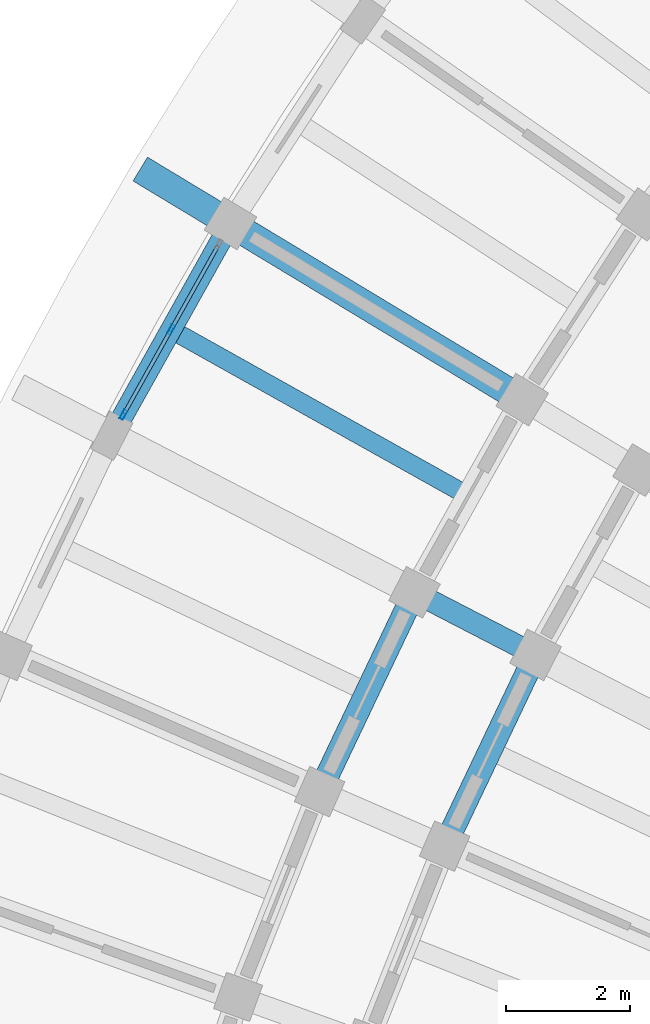
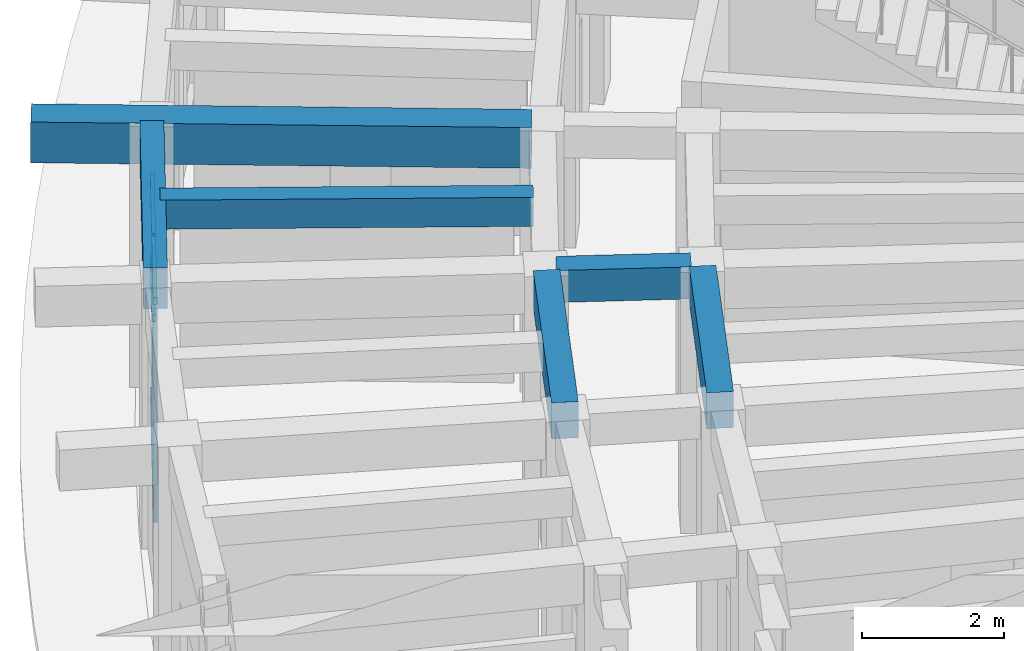
# One storey, part 35 of 132: 8 members, 6 beams, 1 element without a shape of its own.
"""IFC4 building model written with IfcOpenShell, lengths in metres."""

from ifc_helpers import new_model, si_unit, direction, frame, origin, origin_2d, place, context, subcontext, project, spatial, rectangle, hollow_rectangle, extrude, material, material_profile, profile_set, type_object, element, aggregate, save


model = new_model("IFC4")

# Units and contexts
model_context = context("Model", 3, precision=1e-05, world=origin(), true_north=direction((0.0, 1.0)))
body_context = subcontext(model_context, "Body", "Model", "MODEL_VIEW")
ifc_project = project(units=[si_unit("LENGTHUNIT", "METRE"), si_unit("AREAUNIT", "SQUARE_METRE"), si_unit("VOLUMEUNIT", "CUBIC_METRE"), si_unit("PLANEANGLEUNIT", "RADIAN"), si_unit("MASSUNIT", "GRAM", prefix="KILO")], contexts=[model_context])

# Site, building, storey
site_placement = place(None, origin())
site = spatial("IfcSite", under=ifc_project, at=site_placement, CompositionType="ELEMENT")
building_placement = place(site_placement, origin())
building = spatial("IfcBuilding", under=site, at=building_placement, Name="Tanwirah Colonnade Gardens", CompositionType="ELEMENT")
storey_placement = place(building_placement, origin())
storey = spatial("IfcBuildingStorey", under=building, at=storey_placement, Name="L00", CompositionType="ELEMENT", Elevation=0.0)

# Beams
ifc_material_1 = material(Name="Precast concrete C40/50", Category="concrete")
ifc_material_profile_1 = material_profile(ifc_material_1, rectangle(XDim=0.35009765625, YDim=0.550048828125, at=origin_2d()), Name="PC-BM 350x550")
ifc_profile_set_1 = profile_set([ifc_material_profile_1], Name="Precast concrete C40/50")
beam_type_1 = type_object("IfcBeamType", Name="BM-PC350A", PredefinedType="BEAM", material=ifc_profile_set_1)
beam_1_placement = place(storey_placement, frame((18.8056640625, 84.07666015625, 4.2099609375), z_axis=(-0.888358643941, 0.459150214784, 0.0), x_axis=(-0.459150214784, -0.888358643941, 0.0)))
element("IfcBeam", 1, at=beam_1_placement, inside=storey, type_object=beam_type_1, Name="Block A L00 Corridor Tie Beam 15", PredefinedType="BEAM", context=body_context, shape_type="SweptSolid", body=[
    extrude(rectangle(XDim=0.35009765625, YDim=0.550048828125, at=origin_2d()), origin(), (0.0, 0.0, 1.0), 1.89990234375),
])
ifc_material_profile_2 = material_profile(ifc_material_1, rectangle(XDim=0.3798828125, YDim=0.6201171875, at=origin_2d()), Name="PC-BM 380x620")
ifc_profile_set_2 = profile_set([ifc_material_profile_2], Name="Precast concrete C40/50")
beam_type_2 = type_object("IfcBeamType", Name="BM-PC380", PredefinedType="BEAM", material=ifc_profile_set_2)
beam_2_placement = place(storey_placement, frame((18.87451171875, 83.872314453125, 4.175048828125), z_axis=(-0.429620507728, -0.903009534468, 0.0), x_axis=(0.903009534468, -0.429620507728, 0.0)))
element("IfcBeam", 2, at=beam_2_placement, inside=storey, type_object=beam_type_2, Name="Block A L00 Circumferential Beam 15-R1", PredefinedType="BEAM", context=body_context, shape_type="SweptSolid", body=[
    extrude(rectangle(XDim=0.3798828125, YDim=0.6201171875, at=origin_2d()), origin(), (0.0, 0.0, 1.0), 3.1181640625),
])
beam_3_placement = place(storey_placement, frame((16.920166015625, 84.882568359375, 4.175048828125), z_axis=(-0.4295908638, -0.90302363742, 0.0), x_axis=(0.90302363742, -0.4295908638, 0.0)))
element("IfcBeam", 3, at=beam_3_placement, inside=storey, type_object=beam_type_2, Name="Block A L00 Circumferential Beam 15-R2", PredefinedType="BEAM", context=body_context, shape_type="SweptSolid", body=[
    extrude(rectangle(XDim=0.3798828125, YDim=0.6201171875, at=origin_2d()), origin(), (0.0, 0.0, 1.0), 3.26318359375),
])
ifc_material_2 = material(Name="Precast concrete C45/55", Category="concrete")
ifc_material_profile_3 = material_profile(ifc_material_2, rectangle(XDim=0.449951171875, YDim=0.699951171875, at=origin_2d()), Name="PC-BM 450x700")
ifc_profile_set_3 = profile_set([ifc_material_profile_3], Name="Precast concrete C45/55")
beam_type_3 = type_object("IfcBeamType", Name="BM-PC450", PredefinedType="BEAM", material=ifc_profile_set_3)
beam_4_placement = place(storey_placement, frame((18.595703125, 88.205078125, 4.135009765625), z_axis=(-0.856157813984, 0.516714425533, 0.0), x_axis=(-0.516714425533, -0.856157813984, 0.0)))
element("IfcBeam", 4, at=beam_4_placement, inside=storey, type_object=beam_type_3, Name="Block A L00 Outer Radial Precast Girder 14", PredefinedType="BEAM", context=body_context, shape_type="SweptSolid", body=[
    extrude(rectangle(XDim=0.449951171875, YDim=0.699951171875, at=origin_2d()), origin(), (0.0, 0.0, 1.0), 7.050048828125),
])

# Curtain wall, members
ifc_material_3 = material(Name="Bronze-anodised aluminium and solar-control low-E glass", Category="aluminium")
curtain_wall_type = type_object("IfcCurtainWallType", Name="CW-LOB", PredefinedType="NOTDEFINED", material=ifc_material_3)
curtain_wall_placement = place(storey_placement, origin())
curtain_wall = element("IfcCurtainWall", 5, at=curtain_wall_placement, inside=storey, type_object=curtain_wall_type, Name="Curtain Wall CW-A-L00-OUT-14", PredefinedType="NOTDEFINED")
ifc_material_4 = material(Name="Bronze-anodised aluminium", Category="aluminium")
ifc_material_profile_4 = material_profile(ifc_material_4, hollow_rectangle(XDim=0.06005859375, YDim=0.159912109375, WallThickness=0.00390625, at=origin_2d()), Name="CW-MUL 60x160x4")
ifc_profile_set_4 = profile_set([ifc_material_profile_4], Name="Bronze-anodised aluminium")
member_type_1 = type_object("IfcMemberType", Name="CWM-60x160", PredefinedType="MULLION", material=ifc_profile_set_4)
member_1_placement = place(storey_placement, frame((13.056884765625, 89.25634765625, 0.0), z_axis=(0.0, 0.0, 1.0), x_axis=(0.872732421781, -0.488198852899, 0.0)))
member_1 = element("IfcMember", 6, at=member_1_placement, type_object=member_type_1, Name="CW-LOB mullion 2", PredefinedType="MULLION", context=body_context, shape_type="SweptSolid", body=[
    extrude(hollow_rectangle(XDim=0.06005859375, YDim=0.159912109375, WallThickness=0.00390625, at=origin_2d()), origin(), (0.0, 0.0, 1.0), 3.7548828125),
])
member_2_placement = place(storey_placement, frame((12.2890625, 87.8837890625, 0.0), z_axis=(0.0, 0.0, 1.0), x_axis=(0.872732421781, -0.488198852899, 0.0)))
member_2 = element("IfcMember", 7, at=member_2_placement, type_object=member_type_1, Name="CW-LOB mullion 3", PredefinedType="MULLION", context=body_context, shape_type="SweptSolid", body=[
    extrude(hollow_rectangle(XDim=0.06005859375, YDim=0.159912109375, WallThickness=0.00390625, at=origin_2d()), origin(), (0.0, 0.0, 1.0), 3.7548828125),
])
ifc_material_profile_5 = material_profile(ifc_material_4, hollow_rectangle(XDim=0.06005859375, YDim=0.1201171875, WallThickness=0.00390625, at=origin_2d()), Name="CW-TRN 60x120x4")
ifc_profile_set_5 = profile_set([ifc_material_profile_5], Name="Bronze-anodised aluminium")
member_type_2 = type_object("IfcMemberType", Name="CWT-60x120", PredefinedType="USERDEFINED", material=ifc_profile_set_5)
member_3_placement = place(storey_placement, frame((13.810302734375, 90.602783203125, 0.030029296875), z_axis=(-0.488298686347, -0.87267656833, 0.0), x_axis=(0.87267656833, -0.488298686347, 0.0)))
member_3 = element("IfcMember", 8, at=member_3_placement, type_object=member_type_2, Name="CW-LOB transom 1.1", ObjectType="TRANSOM", PredefinedType="USERDEFINED", context=body_context, shape_type="SweptSolid", body=[
    extrude(hollow_rectangle(XDim=0.06005859375, YDim=0.1201171875, WallThickness=0.00390625, at=origin_2d()), origin(), (0.0, 0.0, 1.0), 1.512939453125),
])
member_4_placement = place(storey_placement, frame((13.810302734375, 90.602783203125, 2.328125), z_axis=(-0.488298686347, -0.87267656833, 0.0), x_axis=(0.87267656833, -0.488298686347, 0.0)))
member_4 = element("IfcMember", 9, at=member_4_placement, type_object=member_type_2, Name="CW-LOB transom 1.2", ObjectType="TRANSOM", PredefinedType="USERDEFINED", context=body_context, shape_type="SweptSolid", body=[
    extrude(hollow_rectangle(XDim=0.06005859375, YDim=0.1201171875, WallThickness=0.00390625, at=origin_2d()), origin(), (0.0, 0.0, 1.0), 1.512939453125),
])
member_5_placement = place(storey_placement, frame((13.810302734375, 90.602783203125, 3.72509765625), z_axis=(-0.488298686347, -0.87267656833, 0.0), x_axis=(0.87267656833, -0.488298686347, 0.0)))
member_5 = element("IfcMember", 10, at=member_5_placement, type_object=member_type_2, Name="CW-LOB transom 1.3", ObjectType="TRANSOM", PredefinedType="USERDEFINED", context=body_context, shape_type="SweptSolid", body=[
    extrude(hollow_rectangle(XDim=0.06005859375, YDim=0.1201171875, WallThickness=0.00390625, at=origin_2d()), origin(), (0.0, 0.0, 1.0), 1.512939453125),
])
member_6_placement = place(storey_placement, frame((13.042236328125, 89.230224609375, 0.030029296875), z_axis=(-0.488175779921, -0.872745328202, 0.0), x_axis=(0.872745328202, -0.488175779921, 0.0)))
member_6 = element("IfcMember", 11, at=member_6_placement, type_object=member_type_2, Name="CW-LOB transom 2.1", ObjectType="TRANSOM", PredefinedType="USERDEFINED", context=body_context, shape_type="SweptSolid", body=[
    extrude(hollow_rectangle(XDim=0.06005859375, YDim=0.1201171875, WallThickness=0.00390625, at=origin_2d()), origin(), (0.0, 0.0, 1.0), 1.512939453125),
])
member_7_placement = place(storey_placement, frame((13.042236328125, 89.230224609375, 2.328125), z_axis=(-0.488175779921, -0.872745328202, 0.0), x_axis=(0.872745328202, -0.488175779921, 0.0)))
member_7 = element("IfcMember", 12, at=member_7_placement, type_object=member_type_2, Name="CW-LOB transom 2.2", ObjectType="TRANSOM", PredefinedType="USERDEFINED", context=body_context, shape_type="SweptSolid", body=[
    extrude(hollow_rectangle(XDim=0.06005859375, YDim=0.1201171875, WallThickness=0.00390625, at=origin_2d()), origin(), (0.0, 0.0, 1.0), 1.512939453125),
])
member_8_placement = place(storey_placement, frame((13.042236328125, 89.230224609375, 3.72509765625), z_axis=(-0.488175779921, -0.872745328202, 0.0), x_axis=(0.872745328202, -0.488175779921, 0.0)))
member_8 = element("IfcMember", 13, at=member_8_placement, type_object=member_type_2, Name="CW-LOB transom 2.3", ObjectType="TRANSOM", PredefinedType="USERDEFINED", context=body_context, shape_type="SweptSolid", body=[
    extrude(hollow_rectangle(XDim=0.06005859375, YDim=0.1201171875, WallThickness=0.00390625, at=origin_2d()), origin(), (0.0, 0.0, 1.0), 1.512939453125),
])
aggregate(curtain_wall, [member_1, member_2, member_3, member_4, member_5, member_6, member_7, member_8])

# Beams
ifc_material_profile_6 = material_profile(ifc_material_1, rectangle(XDim=0.300048828125, YDim=0.5, at=origin_2d()), Name="PC-JST 300x500")
ifc_profile_set_6 = profile_set([ifc_material_profile_6], Name="Precast concrete C40/50")
beam_type_4 = type_object("IfcBeamType", Name="JST-PC300", PredefinedType="JOIST", material=ifc_profile_set_6)
beam_5_placement = place(storey_placement, frame((17.72412109375, 86.645751953125, 4.235107421875), z_axis=(-0.872737031138, 0.488190612855, 0.0), x_axis=(-0.488190612855, -0.872737031138, 0.0)))
element("IfcBeam", 14, at=beam_5_placement, inside=storey, type_object=beam_type_4, Name="Block A L00 Precast Floor Joist 14", PredefinedType="JOIST", context=body_context, shape_type="SweptSolid", body=[
    extrude(rectangle(XDim=0.300048828125, YDim=0.5, at=origin_2d()), origin(), (0.0, 0.0, 1.0), 5.260009765625),
])
ifc_material_profile_7 = material_profile(ifc_material_2, rectangle(XDim=0.340087890625, YDim=0.699951171875, at=origin_2d()), Name="PC-SP 340x700")
ifc_profile_set_7 = profile_set([ifc_material_profile_7], Name="Precast concrete C45/55")
beam_type_5 = type_object("IfcBeamType", Name="SP-PC340", PredefinedType="SPANDREL", material=ifc_profile_set_7)
beam_6_placement = place(storey_placement, frame((13.942138671875, 90.838623046875, 4.135009765625), z_axis=(-0.488236312193, -0.872711466326, 0.0), x_axis=(0.872711466326, -0.488236312193, 0.0)))
element("IfcBeam", 15, at=beam_6_placement, inside=storey, type_object=beam_type_5, Name="Block A L00 Circumferential Beam 14-R3", PredefinedType="SPANDREL", context=body_context, shape_type="SweptSolid", body=[
    extrude(rectangle(XDim=0.340087890625, YDim=0.699951171875, at=origin_2d()), origin(), (0.0, 0.0, 1.0), 3.625732421875),
])

save(model, "model.ifc")
